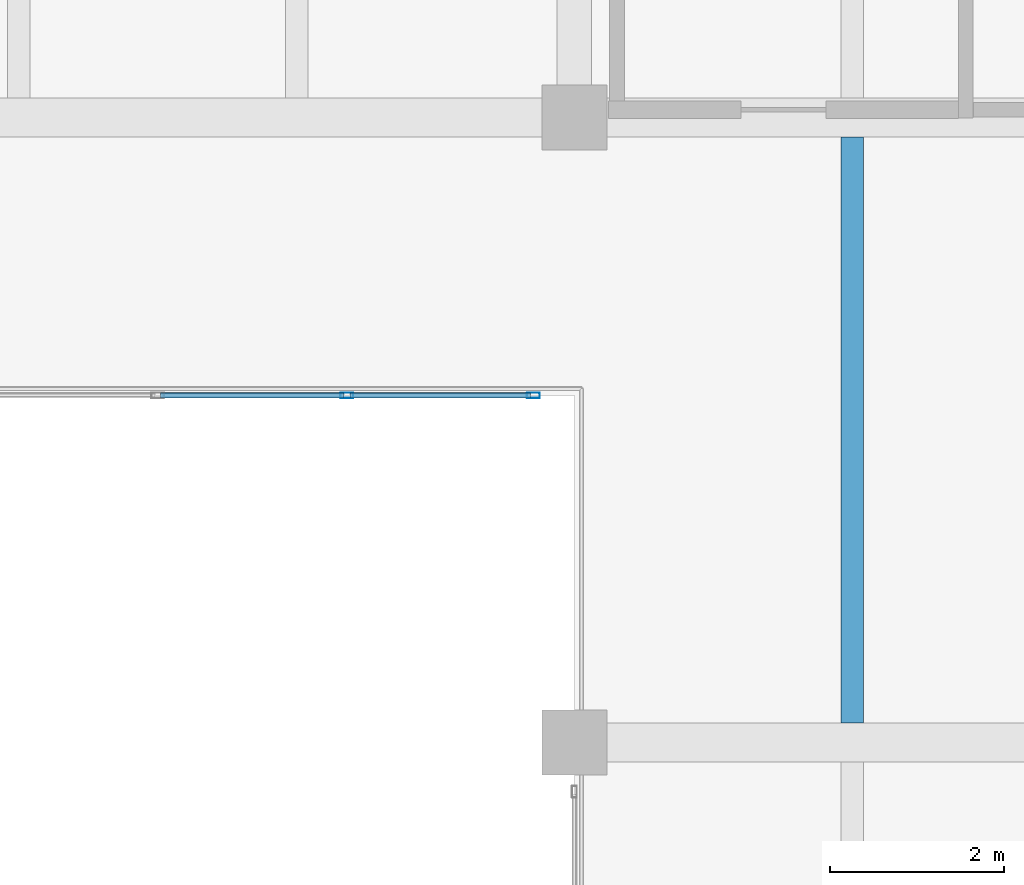
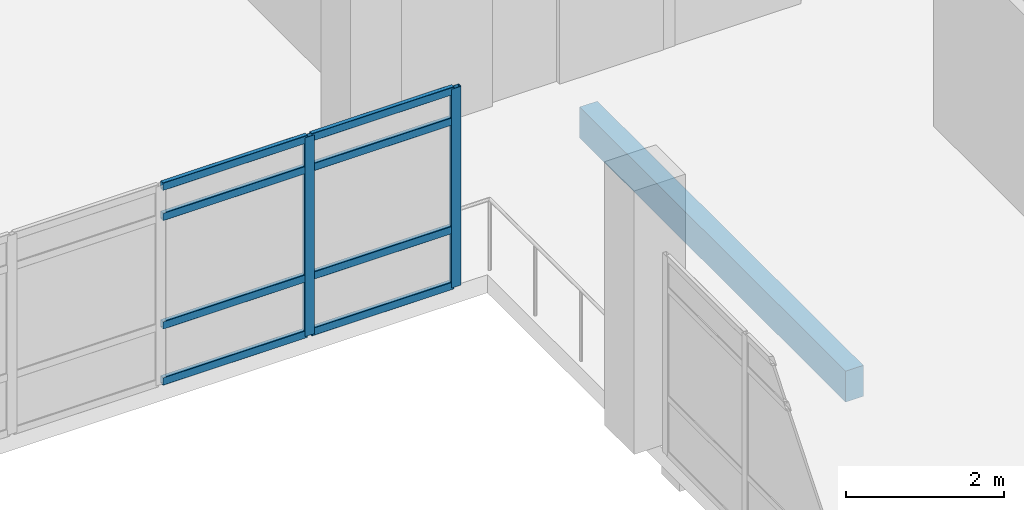
# One storey, part 107 of 180: 10 members, 1 beam, 1 element without a shape of its own.
"""IFC4 building model written with IfcOpenShell, lengths in metres."""

import ifcopenshell
import ifcopenshell.guid

model = None  # the IFC model being written
_history = None  # IfcOwnerHistory: only IFC2X3 demands one
_inside = {}  # id of a spatial element -> (the spatial element, [elements in it])
_under = {}  # id of a project, library or spatial element -> (it, [spatial elements below it])
_declared = {}  # id of a project -> (the project, [libraries it declares])
_typed = {}  # id of a type object -> (the type object, [elements of that type])
_made_of = {}  # id of a material, layer set ... -> (it, [elements and type objects made of it])


def new_model(schema):
    """Start an empty IFC model of exactly this schema.

    Asked for "IFC4X3", IfcOpenShell would pick the latest addendum, in which some entities
    have other attributes; the version numbers below select the first issue.
    IFC2X3 requires an IfcOwnerHistory on every rooted entity: one is made here for all.
    """
    global model, _history
    if schema == "IFC4X3":
        model = ifcopenshell.file(schema_version=(4, 3, 0, 0))
    else:
        model = ifcopenshell.file(schema=schema)
    _inside.clear()
    _under.clear()
    _declared.clear()
    _typed.clear()
    _made_of.clear()
    _history = None
    if model.schema == "IFC2X3":
        org = make("IfcOrganization", Name="unknown")
        user = make(
            "IfcPersonAndOrganization",
            ThePerson=make("IfcPerson", FamilyName="unknown"),
            TheOrganization=org,
        )
        app = make(
            "IfcApplication",
            ApplicationDeveloper=org,
            Version="unknown",
            ApplicationFullName="unknown",
            ApplicationIdentifier="unknown",
        )
        _history = make(
            "IfcOwnerHistory",
            OwningUser=user,
            OwningApplication=app,
            ChangeAction="ADDED",
            CreationDate=0,
        )
    return model


def make(cls, **values):
    """One entity of the class cls with the attributes given. An attribute that is None is left unset."""
    return model.create_entity(
        cls, **{name: value for name, value in values.items() if value is not None}
    )


def rooted(cls, **values):
    """An entity with a GlobalId (a new one), such as an element, a storey or a relation."""
    return make(cls, GlobalId=ifcopenshell.guid.new(), OwnerHistory=_history, **values)


def si_unit(unit_type, name, prefix=None):
    """IfcSIUnit, for example si_unit("LENGTHUNIT", "METRE", prefix="MILLI")."""
    return make("IfcSIUnit", UnitType=unit_type, Prefix=prefix, Name=name)


def assignment(units):
    """IfcUnitAssignment: the units of a project."""
    return None if units is None else make("IfcUnitAssignment", Units=units)


def point(xyz):
    """IfcCartesianPoint."""
    return None if xyz is None else make("IfcCartesianPoint", Coordinates=xyz)


def direction(xyz):
    """IfcDirection."""
    return None if xyz is None else make("IfcDirection", DirectionRatios=xyz)


def frame(location, z_axis=None, x_axis=None):
    """IfcAxis2Placement3D, a coordinate frame: its origin and axes. An axis left out is left unset."""
    return make(
        "IfcAxis2Placement3D",
        Location=point(location),
        Axis=direction(z_axis),
        RefDirection=direction(x_axis),
    )


def frame_2d(location, x_axis=None):
    """IfcAxis2Placement2D, a coordinate frame in the plane: its origin and x axis."""
    return make(
        "IfcAxis2Placement2D", Location=point(location), RefDirection=direction(x_axis)
    )


def origin():
    """The frame at (0, 0, 0) with its axes left unset."""
    return frame((0.0, 0.0, 0.0))


def origin_2d():
    """The frame at (0, 0) in the plane with its x axis left unset."""
    return frame_2d((0.0, 0.0))


def place(relative_to, where):
    """IfcLocalPlacement: puts the frame where relative to a parent placement (None: the world)."""
    return make(
        "IfcLocalPlacement", PlacementRelTo=relative_to, RelativePlacement=where
    )


def context(
    kind, dimensions, precision=None, world=None, true_north=None, identifier=None
):
    """IfcGeometricRepresentationContext, for example the 3D "Model" context."""
    return make(
        "IfcGeometricRepresentationContext",
        ContextIdentifier=identifier,
        ContextType=kind,
        CoordinateSpaceDimension=dimensions,
        Precision=precision,
        WorldCoordinateSystem=world,
        TrueNorth=true_north,
    )


def subcontext(parent, identifier, kind, view, scale=None):
    """IfcGeometricRepresentationSubContext, for example "Body" below "Model"."""
    return make(
        "IfcGeometricRepresentationSubContext",
        ContextIdentifier=identifier,
        ContextType=kind,
        ParentContext=parent,
        TargetScale=scale,
        TargetView=view,
    )


def project(units=None, contexts=None):
    """IfcProject with its units and contexts."""
    return rooted(
        "IfcProject",
        Name="project",
        RepresentationContexts=contexts,
        UnitsInContext=assignment(units),
    )


def spatial(cls, under=None, at=None, **own):
    """A site, building, storey or space (cls), placed at a placement, below another one or the project."""
    s = rooted(cls, ObjectPlacement=at, **own)
    if under is not None:
        _under.setdefault(under.id(), (under, []))[1].append(s)
    return s


def profile(cls, at=None, kind="AREA", **sizes):
    """A parametric profile (cls). Its sizes go by their IFC names, for example OverallWidth=200.0."""
    return make(cls, ProfileType=kind, Position=at, **sizes)


def rectangle(**sizes):
    """IfcRectangleProfileDef."""
    return profile("IfcRectangleProfileDef", **sizes)


def hollow_rectangle(**sizes):
    """IfcRectangleHollowProfileDef."""
    return profile("IfcRectangleHollowProfileDef", **sizes)


def extrude(swept, where, along, depth):
    """IfcExtrudedAreaSolid: the profile swept, set in the frame where, extruded along a direction by depth."""
    return make(
        "IfcExtrudedAreaSolid",
        SweptArea=swept,
        Position=where,
        ExtrudedDirection=direction(along),
        Depth=depth,
    )


def shape(context_of_items, identifier, shape_type, items):
    """IfcShapeRepresentation: the items that make up one representation, for example the "Body"."""
    return make(
        "IfcShapeRepresentation",
        ContextOfItems=context_of_items,
        RepresentationIdentifier=identifier,
        RepresentationType=shape_type,
        Items=items,
    )


def material(Name=None, Category=None):
    """IfcMaterial."""
    return make("IfcMaterial", Name=Name, Category=Category)


def layer(
    of_material, thickness, ventilated=None, Name=None, Category=None, Priority=None
):
    """IfcMaterialLayer: one layer of a wall or slab, of a material (None: an air gap)."""
    return make(
        "IfcMaterialLayer",
        Material=of_material,
        LayerThickness=thickness,
        IsVentilated=ventilated,
        Name=Name,
        Category=Category,
        Priority=Priority,
    )


def layer_set(layers, Name=None):
    """IfcMaterialLayerSet."""
    return make("IfcMaterialLayerSet", MaterialLayers=layers, LayerSetName=Name)


def material_profile(
    of_material, cross_section, Name=None, Category=None, Priority=None
):
    """IfcMaterialProfile: a cross section and its material."""
    return make(
        "IfcMaterialProfile",
        Name=Name,
        Material=of_material,
        Profile=cross_section,
        Priority=Priority,
        Category=Category,
    )


def profile_set(profiles, Name=None, composite=None):
    """IfcMaterialProfileSet."""
    return make(
        "IfcMaterialProfileSet",
        Name=Name,
        MaterialProfiles=profiles,
        CompositeProfile=composite,
    )


def made_of(thing, what):
    """Note that an element or type object is made of a material, layer set ...; save() writes the relation."""
    if what is not None:
        _made_of.setdefault(what.id(), (what, []))[1].append(thing)
    return thing


def type_object(cls, material=None, **own):
    """A type object (cls), such as IfcWallType, which elements share."""
    return made_of(rooted(cls, **own), material)


def element(
    cls,
    number,
    at=None,
    inside=None,
    cuts=None,
    type_object=None,
    material=None,
    context=None,
    identifier="Body",
    shape_type=None,
    held_by="IfcProductDefinitionShape",
    body=None,
    shapes=None,
    **own,
):
    """One element of the class cls, such as IfcWall. Its Tag is "e" and its number.

    at: its placement. inside: the storey or other place that contains it. cuts: it is an
    opening in that element (IfcRelVoidsElement). A single representation is given by context,
    identifier, shape_type and body (its items); several are given by shapes. held_by: the class
    of the entity that holds the representations. save() writes the other relations.
    """
    e = rooted(cls, Tag="e%d" % number, ObjectPlacement=at, **own)
    if body is not None:
        shapes = [shape(context, identifier, shape_type, body)]
    if shapes is not None:
        e.Representation = make(held_by, Representations=shapes)
    if inside is not None:
        _inside.setdefault(inside.id(), (inside, []))[1].append(e)
    if cuts is not None:
        rooted(
            "IfcRelVoidsElement", RelatingBuildingElement=cuts, RelatedOpeningElement=e
        )
    if type_object is not None:
        _typed.setdefault(type_object.id(), (type_object, []))[1].append(e)
    return made_of(e, material)


def aggregate(whole, parts):
    """IfcRelAggregates: a whole, such as a stair, and the parts it consists of."""
    return rooted("IfcRelAggregates", RelatingObject=whole, RelatedObjects=parts)


def save(model, path):
    """Write the relations noted so far, then the file.

    IfcRelAggregates (storeys below a building ...), IfcRelContainedInSpatialStructure (elements
    in a storey), IfcRelDefinesByType, IfcRelAssociatesMaterial and IfcRelDeclares: one each for
    every whole, place, type object, material and project.
    """
    for whole, parts in _under.values():
        aggregate(whole, parts)
    for where, things in _inside.values():
        rooted(
            "IfcRelContainedInSpatialStructure",
            RelatedElements=things,
            RelatingStructure=where,
        )
    for kind, things in _typed.values():
        rooted("IfcRelDefinesByType", RelatedObjects=things, RelatingType=kind)
    for what, things in _made_of.values():
        rooted("IfcRelAssociatesMaterial", RelatedObjects=things, RelatingMaterial=what)
    for by, libraries in _declared.values():
        rooted("IfcRelDeclares", RelatingContext=by, RelatedDefinitions=libraries)
    model.write(path)


model = new_model("IFC4")

# Units and contexts
model_context = context("Model", 3, precision=1e-05, world=origin(), true_north=direction((0.0, 1.0)))
body_context = subcontext(model_context, "Body", "Model", "MODEL_VIEW")
ifc_project = project(units=[si_unit("LENGTHUNIT", "METRE"), si_unit("AREAUNIT", "SQUARE_METRE"), si_unit("VOLUMEUNIT", "CUBIC_METRE"), si_unit("PLANEANGLEUNIT", "RADIAN"), si_unit("MASSUNIT", "GRAM", prefix="KILO")], contexts=[model_context])

# Site, building, storey
site_placement = place(None, origin())
site = spatial("IfcSite", under=ifc_project, at=site_placement, CompositionType="ELEMENT")
building_placement = place(site_placement, origin())
building = spatial("IfcBuilding", under=site, at=building_placement, Name="Asteropetra Specialist Clinic", CompositionType="ELEMENT")
storey_placement = place(building_placement, frame((0.0, 0.0, 4.419921875)))
storey = spatial("IfcBuildingStorey", under=building, at=storey_placement, Name="L01", CompositionType="ELEMENT", Elevation=4.419921875)

# Curtain wall, members
ifc_material_1 = material(Name="Aluminium and low-E glass", Category="aluminium")
ifc_layer = layer(ifc_material_1, 0.14990234375)
ifc_layer_set = layer_set([ifc_layer], Name="Aluminium and low-E glass")
curtain_wall_type = type_object("IfcCurtainWallType", Name="CW-SYS-05", PredefinedType="USERDEFINED", material=ifc_layer_set)
curtain_wall_placement = place(storey_placement, origin())
curtain_wall = element("IfcCurtainWall", 1, at=curtain_wall_placement, inside=storey, type_object=curtain_wall_type, Name="Curtain Wall CW-028", ObjectType="UNITISED CURTAIN WALL", PredefinedType="USERDEFINED")
ifc_material_2 = material(Name="Aluminium 6063-T6", Category="aluminium")
ifc_material_profile_1 = material_profile(ifc_material_2, hollow_rectangle(XDim=0.06494140625, YDim=0.14990234375, WallThickness=0.00390625, InnerFilletRadius=0.00390625, OuterFilletRadius=0.008056640625, at=origin_2d()), Name="MUL 150x65x4.0")
ifc_profile_set_1 = profile_set([ifc_material_profile_1], Name="Aluminium 6063-T6")
member_type_1 = type_object("IfcMemberType", Name="CWM-150x65", PredefinedType="MULLION", material=ifc_profile_set_1)
member_1_placement = place(storey_placement, frame((66.7275390625, 95.199951171875, 0.0), z_axis=(0.0, 0.0, 1.0), x_axis=(0.0, -1.0, 0.0)))
member_1 = element("IfcMember", 2, at=member_1_placement, type_object=member_type_1, Name="CW-028 mullion 1", PredefinedType="MULLION", context=body_context, shape_type="SweptSolid", body=[
    extrude(hollow_rectangle(XDim=0.06494140625, YDim=0.14990234375, WallThickness=0.00390625, InnerFilletRadius=0.00390625, OuterFilletRadius=0.008056640625, at=origin_2d()), origin(), (0.0, 0.0, 1.0), 3.080078125),
])
member_2_placement = place(storey_placement, frame((64.580078125, 95.199951171875, 0.0), z_axis=(0.0, 0.0, 1.0), x_axis=(0.0, -1.0, 0.0)))
member_2 = element("IfcMember", 3, at=member_2_placement, type_object=member_type_1, Name="CW-028 mullion 2", PredefinedType="MULLION", context=body_context, shape_type="SweptSolid", body=[
    extrude(hollow_rectangle(XDim=0.06494140625, YDim=0.14990234375, WallThickness=0.00390625, InnerFilletRadius=0.00390625, OuterFilletRadius=0.008056640625, at=origin_2d()), origin(), (0.0, 0.0, 1.0), 3.080078125),
])
ifc_material_3 = material(Name="Aluminium 6063-T6", Category="aluminium")
ifc_material_profile_2 = material_profile(ifc_material_3, hollow_rectangle(XDim=0.06494140625, YDim=0.1201171875, WallThickness=0.00390625, InnerFilletRadius=0.00390625, OuterFilletRadius=0.008056640625, at=origin_2d()), Name="TRN 120x65x4.0")
ifc_profile_set_2 = profile_set([ifc_material_profile_2], Name="Aluminium 6063-T6")
member_type_2 = type_object("IfcMemberType", Name="CWT-120x65", PredefinedType="USERDEFINED", material=ifc_profile_set_2)
member_3_placement = place(storey_placement, frame((66.695068359375, 95.199951171875, 0.032470703125), z_axis=(-1.0, 0.0, 0.0), x_axis=(0.0, -1.0, 0.0)))
member_3 = element("IfcMember", 4, at=member_3_placement, type_object=member_type_2, Name="CW-028 transom 1.1", ObjectType="TRANSOM", PredefinedType="USERDEFINED", context=body_context, shape_type="SweptSolid", body=[
    extrude(hollow_rectangle(XDim=0.06494140625, YDim=0.1201171875, WallThickness=0.00390625, InnerFilletRadius=0.00390625, OuterFilletRadius=0.008056640625, at=origin_2d()), origin(), (0.0, 0.0, 1.0), 2.08251953125),
])
member_4_placement = place(storey_placement, frame((66.695068359375, 95.199951171875, 0.900146484375), z_axis=(-1.0, 0.0, 0.0), x_axis=(0.0, -1.0, 0.0)))
member_4 = element("IfcMember", 5, at=member_4_placement, type_object=member_type_2, Name="CW-028 transom 1.2", ObjectType="TRANSOM", PredefinedType="USERDEFINED", context=body_context, shape_type="SweptSolid", body=[
    extrude(hollow_rectangle(XDim=0.06494140625, YDim=0.1201171875, WallThickness=0.00390625, InnerFilletRadius=0.00390625, OuterFilletRadius=0.008056640625, at=origin_2d()), origin(), (0.0, 0.0, 1.0), 2.08251953125),
])
member_5_placement = place(storey_placement, frame((66.695068359375, 95.199951171875, 2.580078125), z_axis=(-1.0, 0.0, 0.0), x_axis=(0.0, -1.0, 0.0)))
member_5 = element("IfcMember", 6, at=member_5_placement, type_object=member_type_2, Name="CW-028 transom 1.3", ObjectType="TRANSOM", PredefinedType="USERDEFINED", context=body_context, shape_type="SweptSolid", body=[
    extrude(hollow_rectangle(XDim=0.06494140625, YDim=0.1201171875, WallThickness=0.00390625, InnerFilletRadius=0.00390625, OuterFilletRadius=0.008056640625, at=origin_2d()), origin(), (0.0, 0.0, 1.0), 2.08251953125),
])
member_6_placement = place(storey_placement, frame((66.695068359375, 95.199951171875, 3.047607421875), z_axis=(-1.0, 0.0, 0.0), x_axis=(0.0, -1.0, 0.0)))
member_6 = element("IfcMember", 7, at=member_6_placement, type_object=member_type_2, Name="CW-028 transom 1.4", ObjectType="TRANSOM", PredefinedType="USERDEFINED", context=body_context, shape_type="SweptSolid", body=[
    extrude(hollow_rectangle(XDim=0.06494140625, YDim=0.1201171875, WallThickness=0.00390625, InnerFilletRadius=0.00390625, OuterFilletRadius=0.008056640625, at=origin_2d()), origin(), (0.0, 0.0, 1.0), 2.08251953125),
])
member_7_placement = place(storey_placement, frame((64.547607421875, 95.199951171875, 0.032470703125), z_axis=(-1.0, 0.0, 0.0), x_axis=(0.0, -1.0, 0.0)))
member_7 = element("IfcMember", 8, at=member_7_placement, type_object=member_type_2, Name="CW-028 transom 2.1", ObjectType="TRANSOM", PredefinedType="USERDEFINED", context=body_context, shape_type="SweptSolid", body=[
    extrude(hollow_rectangle(XDim=0.06494140625, YDim=0.1201171875, WallThickness=0.00390625, InnerFilletRadius=0.00390625, OuterFilletRadius=0.008056640625, at=origin_2d()), origin(), (0.0, 0.0, 1.0), 2.114990234375),
])
member_8_placement = place(storey_placement, frame((64.547607421875, 95.199951171875, 0.900146484375), z_axis=(-1.0, 0.0, 0.0), x_axis=(0.0, -1.0, 0.0)))
member_8 = element("IfcMember", 9, at=member_8_placement, type_object=member_type_2, Name="CW-028 transom 2.2", ObjectType="TRANSOM", PredefinedType="USERDEFINED", context=body_context, shape_type="SweptSolid", body=[
    extrude(hollow_rectangle(XDim=0.06494140625, YDim=0.1201171875, WallThickness=0.00390625, InnerFilletRadius=0.00390625, OuterFilletRadius=0.008056640625, at=origin_2d()), origin(), (0.0, 0.0, 1.0), 2.114990234375),
])
member_9_placement = place(storey_placement, frame((64.547607421875, 95.199951171875, 2.580078125), z_axis=(-1.0, 0.0, 0.0), x_axis=(0.0, -1.0, 0.0)))
member_9 = element("IfcMember", 10, at=member_9_placement, type_object=member_type_2, Name="CW-028 transom 2.3", ObjectType="TRANSOM", PredefinedType="USERDEFINED", context=body_context, shape_type="SweptSolid", body=[
    extrude(hollow_rectangle(XDim=0.06494140625, YDim=0.1201171875, WallThickness=0.00390625, InnerFilletRadius=0.00390625, OuterFilletRadius=0.008056640625, at=origin_2d()), origin(), (0.0, 0.0, 1.0), 2.114990234375),
])
member_10_placement = place(storey_placement, frame((64.547607421875, 95.199951171875, 3.047607421875), z_axis=(-1.0, 0.0, 0.0), x_axis=(0.0, -1.0, 0.0)))
member_10 = element("IfcMember", 11, at=member_10_placement, type_object=member_type_2, Name="CW-028 transom 2.4", ObjectType="TRANSOM", PredefinedType="USERDEFINED", context=body_context, shape_type="SweptSolid", body=[
    extrude(hollow_rectangle(XDim=0.06494140625, YDim=0.1201171875, WallThickness=0.00390625, InnerFilletRadius=0.00390625, OuterFilletRadius=0.008056640625, at=origin_2d()), origin(), (0.0, 0.0, 1.0), 2.114990234375),
])
aggregate(curtain_wall, [member_1, member_2, member_3, member_4, member_5, member_6, member_7, member_8, member_9, member_10])

# Beam
ifc_material_4 = material(Name="Concrete C35/45", Category="concrete")
ifc_material_profile_3 = material_profile(ifc_material_4, rectangle(XDim=0.260009765625, YDim=0.47998046875, at=origin_2d()), Name="RCJ 260x480")
ifc_profile_set_3 = profile_set([ifc_material_profile_3], Name="Concrete C35/45")
beam_type = type_object("IfcBeamType", Name="JST-RC260x480", PredefinedType="JOIST", material=ifc_profile_set_3)
beam_placement = place(storey_placement, frame((70.39990234375, 91.425048828125, -0.52001953125), z_axis=(0.0, 1.0, 0.0), x_axis=(-1.0, 0.0, 0.0)))
element("IfcBeam", 12, at=beam_placement, inside=storey, type_object=beam_type, Name="Joist JJST02-0716", PredefinedType="JOIST", context=body_context, shape_type="SweptSolid", body=[
    extrude(rectangle(XDim=0.260009765625, YDim=0.47998046875, at=origin_2d()), origin(), (0.0, 0.0, 1.0), 6.75),
])

save(model, "model.ifc")
